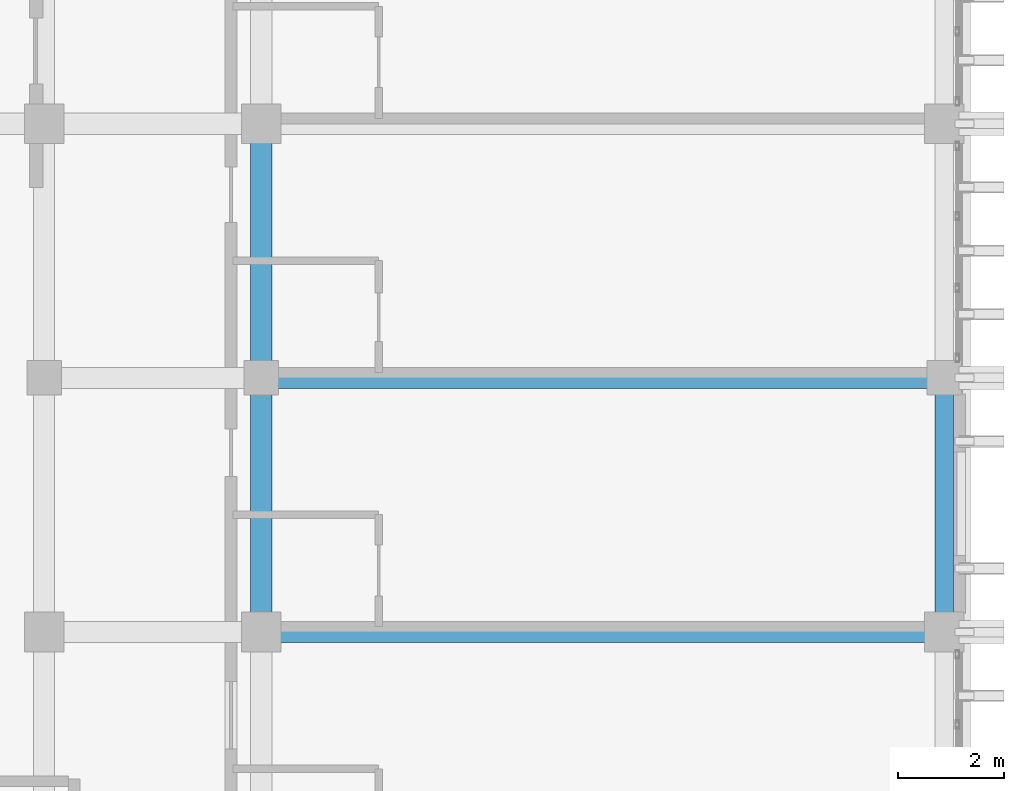
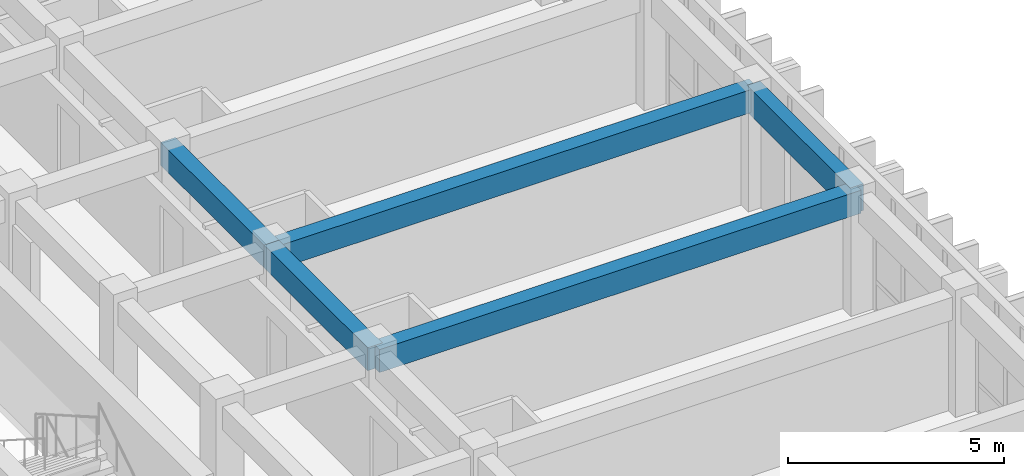
# One storey, part 39 of 64: 5 beams.
"""IFC4 building model written with IfcOpenShell, lengths in metres."""

from ifc_helpers import new_model, si_unit, direction, frame, origin, origin_2d, place, context, subcontext, project, spatial, rectangle, extrude, material, material_profile, profile_set, type_object, element, save


model = new_model("IFC4")

# Units and contexts
model_context = context("Model", 3, precision=1e-05, world=origin(), true_north=direction((0.0, 1.0)))
body_context = subcontext(model_context, "Body", "Model", "MODEL_VIEW")
ifc_project = project(units=[si_unit("LENGTHUNIT", "METRE"), si_unit("AREAUNIT", "SQUARE_METRE"), si_unit("VOLUMEUNIT", "CUBIC_METRE"), si_unit("PLANEANGLEUNIT", "RADIAN"), si_unit("MASSUNIT", "GRAM", prefix="KILO")], contexts=[model_context])

# Site, building, storey
site_placement = place(None, origin())
site = spatial("IfcSite", under=ifc_project, at=site_placement, CompositionType="ELEMENT")
building_placement = place(site_placement, origin())
building = spatial("IfcBuilding", under=site, at=building_placement, Name="Nakhvara Creek Congress Hotel", CompositionType="ELEMENT")
storey_placement = place(building_placement, frame((0.0, 0.0, 28.199951171875)))
storey = spatial("IfcBuildingStorey", under=building, at=storey_placement, Name="L06", CompositionType="ELEMENT", Elevation=28.199951171875)

# Beams
ifc_material = material(Name="Concrete C40/50", Category="concrete")
ifc_material_profile_1 = material_profile(ifc_material, rectangle(XDim=0.39990234375, YDim=0.64990234375, at=origin_2d()), Name="RC-BM 400x650", Category="LoadBearing")
ifc_profile_set_1 = profile_set([ifc_material_profile_1], Name="Concrete C40/50")
beam_type_1 = type_object("IfcBeamType", Name="BM-RC-400X650", PredefinedType="BEAM", material=ifc_profile_set_1)
beam_1_placement = place(storey_placement, frame((166.449951171875, 105.60009765625, 3.01513671875), z_axis=(1.0, 0.0, 0.0), x_axis=(0.0, 1.0, 0.0)))
element("IfcBeam", 1, at=beam_1_placement, inside=storey, type_object=beam_type_1, Name="Beam B06-L06-2267", PredefinedType="BEAM", context=body_context, shape_type="SweptSolid", body=[
    extrude(rectangle(XDim=0.39990234375, YDim=0.64990234375, at=origin_2d()), origin(), (0.0, 0.0, 1.0), 12.900146484375),
])
beam_2_placement = place(storey_placement, frame((166.449951171875, 105.60009765625, 3.01513671875), z_axis=(0.0, 1.0, 0.0), x_axis=(-1.0, 0.0, 0.0)))
element("IfcBeam", 2, at=beam_2_placement, inside=storey, type_object=beam_type_1, Name="Beam B06-L06-2269", PredefinedType="BEAM", context=body_context, shape_type="SweptSolid", body=[
    extrude(rectangle(XDim=0.39990234375, YDim=0.64990234375, at=origin_2d()), origin(), (0.0, 0.0, 1.0), 4.7998046875),
])
beam_3_placement = place(storey_placement, frame((166.449951171875, 110.39990234375, 3.01513671875), z_axis=(0.0, 1.0, 0.0), x_axis=(-1.0, 0.0, 0.0)))
element("IfcBeam", 3, at=beam_3_placement, inside=storey, type_object=beam_type_1, Name="Beam B06-L06-2271", PredefinedType="BEAM", context=body_context, shape_type="SweptSolid", body=[
    extrude(rectangle(XDim=0.39990234375, YDim=0.64990234375, at=origin_2d()), origin(), (0.0, 0.0, 1.0), 4.800048828125),
])
beam_4_placement = place(storey_placement, frame((166.449951171875, 110.39990234375, 3.01513671875), z_axis=(1.0, 0.0, 0.0), x_axis=(0.0, 1.0, 0.0)))
element("IfcBeam", 4, at=beam_4_placement, inside=storey, type_object=beam_type_1, Name="Beam B06-L06-2316", PredefinedType="BEAM", context=body_context, shape_type="SweptSolid", body=[
    extrude(rectangle(XDim=0.39990234375, YDim=0.64990234375, at=origin_2d()), origin(), (0.0, 0.0, 1.0), 12.900146484375),
])
ifc_material_profile_2 = material_profile(ifc_material, rectangle(XDim=0.35009765625, YDim=0.75, at=origin_2d()), Name="RC-SPANDREL 350x750", Category="LoadBearing")
ifc_profile_set_2 = profile_set([ifc_material_profile_2], Name="Concrete C40/50")
beam_type_2 = type_object("IfcBeamType", Name="BM-SPN-350X750", PredefinedType="SPANDREL", material=ifc_profile_set_2)
beam_5_placement = place(storey_placement, frame((179.35009765625, 105.60009765625, 2.965087890625), z_axis=(0.0, 1.0, 0.0), x_axis=(-1.0, 0.0, 0.0)))
element("IfcBeam", 5, at=beam_5_placement, inside=storey, type_object=beam_type_2, Name="Beam SP1-L06-2289", PredefinedType="SPANDREL", context=body_context, shape_type="SweptSolid", body=[
    extrude(rectangle(XDim=0.35009765625, YDim=0.75, at=origin_2d()), origin(), (0.0, 0.0, 1.0), 4.7998046875),
])

save(model, "model.ifc")
